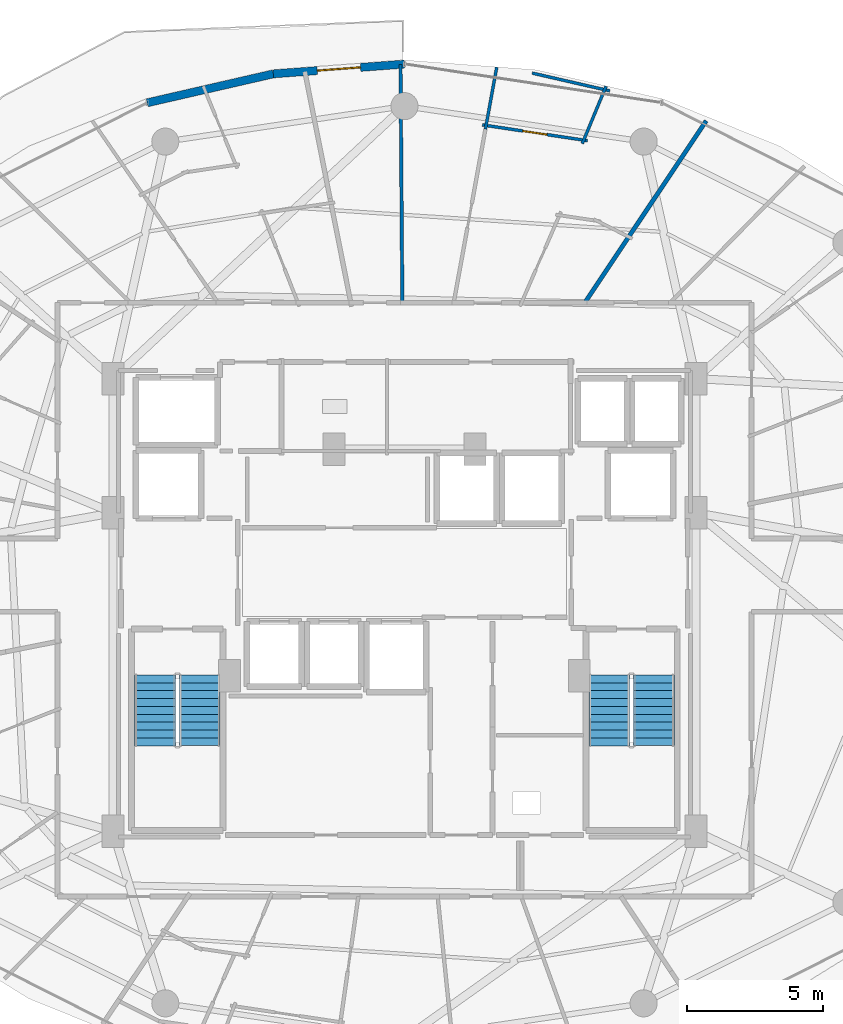
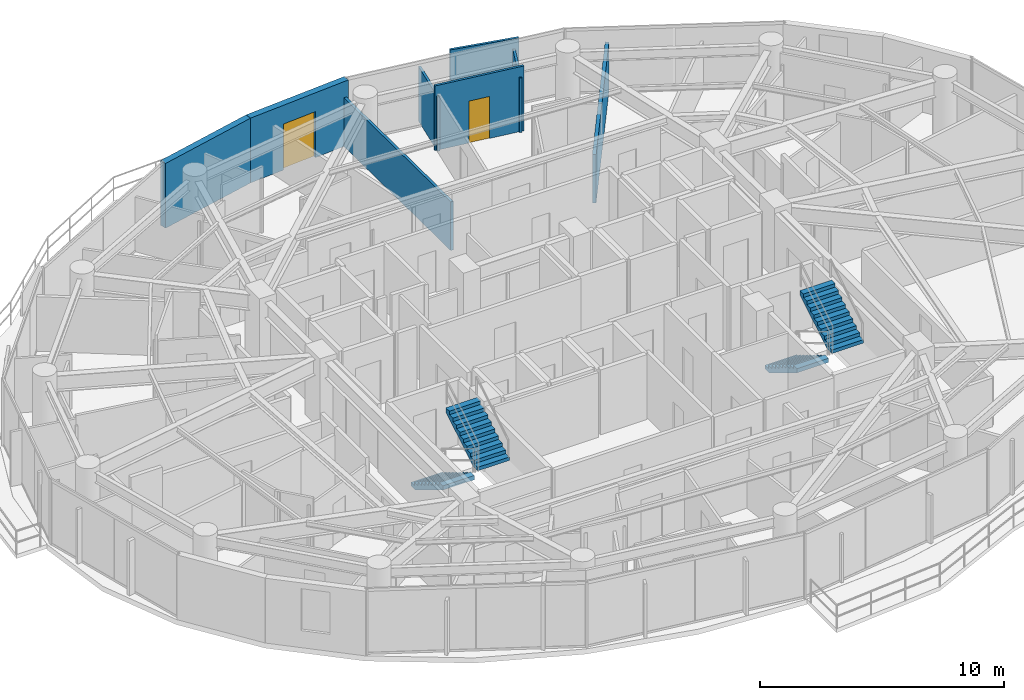
# One storey, part 26 of 30: 8 walls, 4 stair flights, 2 doors, 2 openings, 2 elements without a shape of their own.
"""IFC4 building model written with IfcOpenShell, lengths in metres."""

from ifc_helpers import new_model, si_unit, direction, frame, frame_2d, origin, place, context, subcontext, project, spatial, polyline, rectangle, outline, extrude, material, layer, layer_set, type_object, element, fill, aggregate, save


model = new_model("IFC4")

# Units and contexts
model_context = context("Model", 3, precision=1e-05, world=origin(), true_north=direction((0.0, 1.0)))
body_context = subcontext(model_context, "Body", "Model", "MODEL_VIEW")
ifc_project = project(units=[si_unit("LENGTHUNIT", "METRE"), si_unit("AREAUNIT", "SQUARE_METRE"), si_unit("VOLUMEUNIT", "CUBIC_METRE"), si_unit("PLANEANGLEUNIT", "RADIAN"), si_unit("MASSUNIT", "GRAM", prefix="KILO")], contexts=[model_context])

# Site, building, storey
site_placement = place(None, origin())
site = spatial("IfcSite", under=ifc_project, at=site_placement, CompositionType="ELEMENT")
building_placement = place(site_placement, origin())
building = spatial("IfcBuilding", under=site, at=building_placement, Name="Vorneva Point Tower", CompositionType="ELEMENT")
storey_placement = place(building_placement, frame((0.0, 0.0, 153.60009765625)))
storey = spatial("IfcBuildingStorey", under=building, at=storey_placement, Name="L41", CompositionType="ELEMENT", Elevation=153.60009765625)

# Wall, opening, door
ifc_material_1 = material(Name="Precast concrete B50 (C40/50)", Category="concrete")
ifc_layer_1 = layer(ifc_material_1, 0.300048828125)
ifc_layer_set_1 = layer_set([ifc_layer_1], Name="Precast concrete B50 (C40/50)")
wall_type_1 = type_object("IfcWallType", Name="WL-EXT-300", PredefinedType="STANDARD", material=ifc_layer_set_1)
wall_1_placement = place(storey_placement, frame((38.0, 44.75, 0.0), z_axis=(0.0, 0.0, 1.0), x_axis=(-0.997237740067, -0.074275768499, 0.0)))
wall_1 = element("IfcWall", 1, at=wall_1_placement, inside=storey, type_object=wall_type_1, Name="L41 Pale-Metal Facade Spandrel Wall 05.1", PredefinedType="STANDARD", context=body_context, shape_type="SweptSolid", body=[
    extrude(rectangle(XDim=4.8515625, YDim=0.300048828125, at=frame_2d((2.42578125, 0.0))), origin(), (0.0, 0.0, 1.0), 3.239990234375),
])
opening_1_placement = place(wall_1_placement, frame((1.625732421875, 0.0, 0.0)))
opening_1 = element("IfcOpeningElement", 2, at=opening_1_placement, cuts=wall_1, Name="Opening BD-01", PredefinedType="OPENING", context=body_context, shape_type="SweptSolid", body=[
    extrude(rectangle(XDim=1.60009765625, YDim=2.300048828125, at=frame_2d((0.800048828125, 1.14990234375))), frame((0.0, 0.1650390625, 0.0), z_axis=(0.0, -1.0, 0.0), x_axis=(1.0, 0.0, 0.0)), (0.0, 0.0, 1.0), 0.329833984375),
])
ifc_material_2 = material(Name="Pale anodised aluminium", Category="aluminium")
door_type_1 = type_object("IfcDoorType", Name="DR-BAL-1600", OperationType="SLIDING_TO_LEFT", PredefinedType="DOOR", material=ifc_material_2)
door_1_placement = place(opening_1_placement, origin())
door_1 = element("IfcDoor", 3, at=door_1_placement, inside=storey, type_object=door_type_1, Name="L41 Balcony Terrace Access Door 05", OperationType="SLIDING_TO_LEFT", OverallHeight=2.300048828125, OverallWidth=1.60009765625, PredefinedType="DOOR", context=body_context, shape_type="SweptSolid", body=[
    extrude(rectangle(XDim=1.60009765625, YDim=2.300048828125, at=frame_2d((0.800048828125, 1.14990234375))), frame((0.0, 0.02490234375, 0.0), z_axis=(0.0, -1.0, 0.0), x_axis=(1.0, 0.0, 0.0)), (0.0, 0.0, 1.0), 0.050048828125),
])
fill(opening_1, door_1)

# Walls
wall_2_placement = place(storey_placement, frame((33.161865234375, 44.3896484375, 0.0), z_axis=(0.0, 0.0, 1.0), x_axis=(-0.974698897188, -0.223521944832, 0.0)))
element("IfcWall", 4, at=wall_2_placement, inside=storey, type_object=wall_type_1, Name="L41 Pale-Metal Facade Spandrel Wall 05.2", PredefinedType="STANDARD", context=body_context, shape_type="SweptSolid", body=[
    extrude(rectangle(XDim=4.773193359375, YDim=0.300048828125, at=frame_2d((2.38671875, 0.0))), origin(), (0.0, 0.0, 1.0), 3.239990234375),
])
ifc_material_3 = material(Name="Fire-rated acoustic gypsum stud partition", Category="gypsum")
ifc_layer_2 = layer(ifc_material_3, 0.110107421875)
ifc_layer_set_2 = layer_set([ifc_layer_2], Name="Fire-rated acoustic gypsum stud partition")
wall_type_2 = type_object("IfcWallType", Name="WL-PART-110", PredefinedType="PARTITIONING", material=ifc_layer_set_2)
wall_3_placement = place(storey_placement, frame((45.435546875, 43.934326171875, 0.0), z_axis=(0.0, 0.0, 1.0), x_axis=(-0.383057133185, -0.923724652002, 0.0)))
element("IfcWall", 5, at=wall_3_placement, inside=storey, type_object=wall_type_2, Name="L41 Interior Partition 079", PredefinedType="PARTITIONING", context=body_context, shape_type="SweptSolid", body=[
    extrude(rectangle(XDim=2.29248046875, YDim=0.110107421875, at=frame_2d((1.146240234375, 0.0))), origin(), (0.0, 0.0, 1.0), 2.727783203125),
])

# Wall, opening, door
wall_4_placement = place(storey_placement, frame((44.74951171875, 41.92529296875, 0.0), z_axis=(0.0, 0.0, 1.0), x_axis=(-0.988899781081, 0.148584060306, 0.0)))
wall_4 = element("IfcWall", 6, at=wall_4_placement, inside=storey, type_object=wall_type_2, Name="L41 Interior Partition 080", PredefinedType="PARTITIONING", context=body_context, shape_type="SweptSolid", body=[
    extrude(rectangle(XDim=3.92041015625, YDim=0.110107421875, at=frame_2d((1.960205078125, 0.0))), origin(), (0.0, 0.0, 1.0), 3.239990234375),
])
opening_2_placement = place(wall_4_placement, frame((1.51025390625, 0.0, 0.0)))
opening_2 = element("IfcOpeningElement", 7, at=opening_2_placement, cuts=wall_4, Name="Opening ID-01", PredefinedType="OPENING", context=body_context, shape_type="SweptSolid", body=[
    extrude(rectangle(XDim=0.89990234375, YDim=2.10009765625, at=frame_2d((0.449951171875, 1.050048828125))), frame((0.0, 0.06982421875, 0.0), z_axis=(0.0, -1.0, 0.0), x_axis=(1.0, 0.0, 0.0)), (0.0, 0.0, 1.0), 0.139892578125),
])
ifc_material_4 = material(Name="Engineered oak fire-rated door leaf", Category="wood")
door_type_2 = type_object("IfcDoorType", Name="DR-ROOM-900", OperationType="NOTDEFINED", PredefinedType="DOOR", material=ifc_material_4)
door_2_placement = place(opening_2_placement, origin())
door_2 = element("IfcDoor", 8, at=door_2_placement, inside=storey, type_object=door_type_2, Name="L41 Door Living and Dining Room L41-02 / Kitchen L41-02", OperationType="SINGLE_SWING_RIGHT", OverallHeight=2.10009765625, OverallWidth=0.89990234375, PredefinedType="DOOR", context=body_context, shape_type="SweptSolid", body=[
    extrude(rectangle(XDim=0.89990234375, YDim=2.10009765625, at=frame_2d((0.449951171875, 1.050048828125))), frame((0.0, 0.02490234375, 0.0), z_axis=(0.0, -1.0, 0.0), x_axis=(1.0, 0.0, 0.0)), (0.0, 0.0, 1.0), 0.050048828125),
])
fill(opening_2, door_2)

# Walls
wall_5_placement = place(storey_placement, frame((40.98583984375, 42.349365234375, 0.0), z_axis=(0.0, 0.0, 1.0), x_axis=(0.179523238587, 0.983753732805, 0.0)))
element("IfcWall", 9, at=wall_5_placement, inside=storey, type_object=wall_type_2, Name="L41 Interior Partition 081", PredefinedType="PARTITIONING", context=body_context, shape_type="SweptSolid", body=[
    extrude(rectangle(XDim=2.32421875, YDim=0.110107421875, at=frame_2d((1.162109375, 0.0))), origin(), (0.0, 0.0, 1.0), 2.727783203125),
])
wall_6_placement = place(storey_placement, frame((45.576416015625, 43.7607421875, 0.0), z_axis=(0.0, 0.0, 1.0), x_axis=(-0.974642290338, 0.223768643657, 0.0)))
element("IfcWall", 10, at=wall_6_placement, inside=storey, type_object=wall_type_2, Name="L41 Interior Partition 082", PredefinedType="PARTITIONING", context=body_context, shape_type="SweptSolid", body=[
    extrude(rectangle(XDim=2.942626953125, YDim=0.110107421875, at=frame_2d((1.47119140625, 0.0))), origin(), (0.0, 0.0, 1.0), 3.239990234375),
])
ifc_layer_3 = layer(ifc_material_3, 0.125)
ifc_layer_set_3 = layer_set([ifc_layer_3], Name="Fire-rated acoustic gypsum stud partition")
wall_type_3 = type_object("IfcWallType", Name="WL-PART-125", PredefinedType="PARTITIONING", material=ifc_layer_set_3)
wall_7_placement = place(storey_placement, frame((37.85302734375, 44.739013671875, 0.0), z_axis=(0.0, 0.0, 1.0), x_axis=(0.007860868226, -0.999969102898, 0.0)))
element("IfcWall", 11, at=wall_7_placement, inside=storey, type_object=wall_type_3, Name="L41 Interior Partition 084", PredefinedType="PARTITIONING", context=body_context, shape_type="SweptSolid", body=[
    extrude(rectangle(XDim=8.789306640625, YDim=0.125, at=frame_2d((4.39453125, 0.0))), origin(), (0.0, 0.0, 1.0), 2.431884765625),
])
ifc_layer_4 = layer(ifc_material_3, 0.159912109375)
ifc_layer_set_4 = layer_set([ifc_layer_4], Name="Fire-rated acoustic gypsum stud partition")
wall_type_4 = type_object("IfcWallType", Name="WL-PART-160", PredefinedType="PARTITIONING", material=ifc_layer_set_4)
wall_8_placement = place(storey_placement, frame((49.131103515625, 42.658935546875, 0.0), z_axis=(0.0, 0.0, 1.0), x_axis=(-0.555600584712, -0.831449331149, 0.0)))
element("IfcWall", 12, at=wall_8_placement, inside=storey, type_object=wall_type_4, Name="L41 Interior Partition 075", PredefinedType="PARTITIONING", context=body_context, shape_type="SweptSolid", body=[
    extrude(rectangle(XDim=8.069091796875, YDim=0.159912109375, at=frame_2d((4.03466796875, 0.0))), origin(), (0.0, 0.0, 1.0), 2.431884765625),
])

# Stair, stair flights
ifc_material_5 = material(Name="Concrete B50 (C40/50)", Category="concrete")
stair_type = type_object("IfcStairType", Name="ST-DOG-1500", PredefinedType="HALF_TURN_STAIR", material=ifc_material_5)
stair_1_placement = place(storey_placement, origin())
stair_1 = element("IfcStair", 13, at=stair_1_placement, inside=storey, type_object=stair_type, Name="L41 ST1", PredefinedType="HALF_TURN_STAIR")
stair_flight_type = type_object("IfcStairFlightType", Name="STF-1500", PredefinedType="STRAIGHT", material=ifc_material_5)
stair_flight_1_placement = place(storey_placement, frame((28.800048828125, 22.219970703125, 0.0), z_axis=(0.0, 0.0, 1.0), x_axis=(0.0, -1.0, 0.0)))
stair_flight_1 = element("IfcStairFlight", 14, at=stair_flight_1_placement, type_object=stair_flight_type, Name="ST1 flight 1", NumberOfRisers=10, NumberOfTreads=9, PredefinedType="STRAIGHT", RiserHeight=0.175, TreadLength=0.29, context=body_context, shape_type="SweptSolid", body=[
    extrude(outline(polyline([(0.0, 0.0), (0.0, 0.175048828125), (0.2900390625, 0.175048828125), (0.2900390625, 0.35009765625), (0.580078125, 0.35009765625), (0.580078125, 0.52490234375), (0.8701171875, 0.52490234375), (0.8701171875, 0.699951171875), (1.159912109375, 0.699951171875), (1.159912109375, 0.875), (1.449951171875, 0.875), (1.449951171875, 1.050048828125), (1.739990234375, 1.050048828125), (1.739990234375, 1.22509765625), (2.030029296875, 1.22509765625), (2.030029296875, 1.39990234375), (2.320068359375, 1.39990234375), (2.320068359375, 1.574951171875), (2.610107421875, 1.574951171875), (2.610107421875, 1.75), (2.610107421875, 1.36474609375), (0.34814453125, 0.0), (0.0, 0.0)])), frame((0.0, 0.75, 0.0), z_axis=(0.0, -1.0, 0.0), x_axis=(1.0, 0.0, 0.0)), (0.0, 0.0, 1.0), 1.5),
])
stair_flight_2_placement = place(storey_placement, frame((30.449951171875, 19.610107421875, 1.75), z_axis=(0.0, 0.0, 1.0), x_axis=(0.0, 1.0, 0.0)))
stair_flight_2 = element("IfcStairFlight", 15, at=stair_flight_2_placement, type_object=stair_flight_type, Name="ST1 flight 2", NumberOfRisers=10, NumberOfTreads=9, PredefinedType="STRAIGHT", RiserHeight=0.175, TreadLength=0.29, context=body_context, shape_type="SweptSolid", body=[
    extrude(outline(polyline([(0.0, 0.0), (0.0, 0.175048828125), (0.2900390625, 0.175048828125), (0.2900390625, 0.35009765625), (0.580078125, 0.35009765625), (0.580078125, 0.52490234375), (0.8701171875, 0.52490234375), (0.8701171875, 0.699951171875), (1.159912109375, 0.699951171875), (1.159912109375, 0.875), (1.449951171875, 0.875), (1.449951171875, 1.050048828125), (1.739990234375, 1.050048828125), (1.739990234375, 1.22509765625), (2.030029296875, 1.22509765625), (2.030029296875, 1.39990234375), (2.320068359375, 1.39990234375), (2.320068359375, 1.574951171875), (2.610107421875, 1.574951171875), (2.610107421875, 1.75), (2.610107421875, 1.36474609375), (0.34814453125, 0.0), (0.0, 0.0)])), frame((0.0, 0.75, 0.0), z_axis=(0.0, -1.0, 0.0), x_axis=(1.0, 0.0, 0.0)), (0.0, 0.0, 1.0), 1.5),
])
aggregate(stair_1, [stair_flight_1, stair_flight_2])

stair_2_placement = place(storey_placement, origin())
stair_2 = element("IfcStair", 16, at=stair_2_placement, inside=storey, type_object=stair_type, Name="L41 ST2", PredefinedType="HALF_TURN_STAIR")
stair_flight_3_placement = place(storey_placement, frame((45.550048828125, 22.219970703125, 0.0), z_axis=(0.0, 0.0, 1.0), x_axis=(0.0, -1.0, 0.0)))
stair_flight_3 = element("IfcStairFlight", 17, at=stair_flight_3_placement, type_object=stair_flight_type, Name="ST2 flight 1", NumberOfRisers=10, NumberOfTreads=9, PredefinedType="STRAIGHT", RiserHeight=0.175, TreadLength=0.29, context=body_context, shape_type="SweptSolid", body=[
    extrude(outline(polyline([(0.0, 0.0), (0.0, 0.175048828125), (0.2900390625, 0.175048828125), (0.2900390625, 0.35009765625), (0.580078125, 0.35009765625), (0.580078125, 0.52490234375), (0.8701171875, 0.52490234375), (0.8701171875, 0.699951171875), (1.159912109375, 0.699951171875), (1.159912109375, 0.875), (1.449951171875, 0.875), (1.449951171875, 1.050048828125), (1.739990234375, 1.050048828125), (1.739990234375, 1.22509765625), (2.030029296875, 1.22509765625), (2.030029296875, 1.39990234375), (2.320068359375, 1.39990234375), (2.320068359375, 1.574951171875), (2.610107421875, 1.574951171875), (2.610107421875, 1.75), (2.610107421875, 1.36474609375), (0.34814453125, 0.0), (0.0, 0.0)])), frame((0.0, 0.75, 0.0), z_axis=(0.0, -1.0, 0.0), x_axis=(1.0, 0.0, 0.0)), (0.0, 0.0, 1.0), 1.5),
])
stair_flight_4_placement = place(storey_placement, frame((47.199951171875, 19.610107421875, 1.75), z_axis=(0.0, 0.0, 1.0), x_axis=(0.0, 1.0, 0.0)))
stair_flight_4 = element("IfcStairFlight", 18, at=stair_flight_4_placement, type_object=stair_flight_type, Name="ST2 flight 2", NumberOfRisers=10, NumberOfTreads=9, PredefinedType="STRAIGHT", RiserHeight=0.175, TreadLength=0.29, context=body_context, shape_type="SweptSolid", body=[
    extrude(outline(polyline([(0.0, 0.0), (0.0, 0.175048828125), (0.2900390625, 0.175048828125), (0.2900390625, 0.35009765625), (0.580078125, 0.35009765625), (0.580078125, 0.52490234375), (0.8701171875, 0.52490234375), (0.8701171875, 0.699951171875), (1.159912109375, 0.699951171875), (1.159912109375, 0.875), (1.449951171875, 0.875), (1.449951171875, 1.050048828125), (1.739990234375, 1.050048828125), (1.739990234375, 1.22509765625), (2.030029296875, 1.22509765625), (2.030029296875, 1.39990234375), (2.320068359375, 1.39990234375), (2.320068359375, 1.574951171875), (2.610107421875, 1.574951171875), (2.610107421875, 1.75), (2.610107421875, 1.36474609375), (0.34814453125, 0.0), (0.0, 0.0)])), frame((0.0, 0.75, 0.0), z_axis=(0.0, -1.0, 0.0), x_axis=(1.0, 0.0, 0.0)), (0.0, 0.0, 1.0), 1.5),
])
aggregate(stair_2, [stair_flight_3, stair_flight_4])

save(model, "model.ifc")
